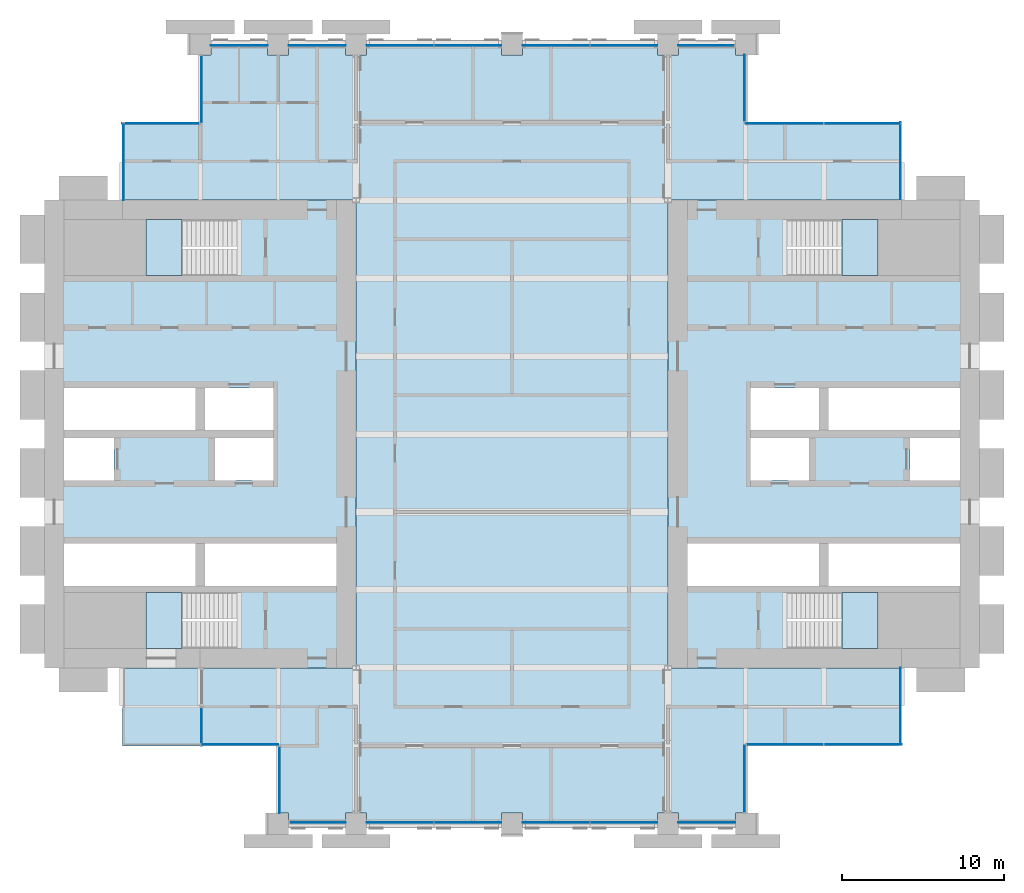
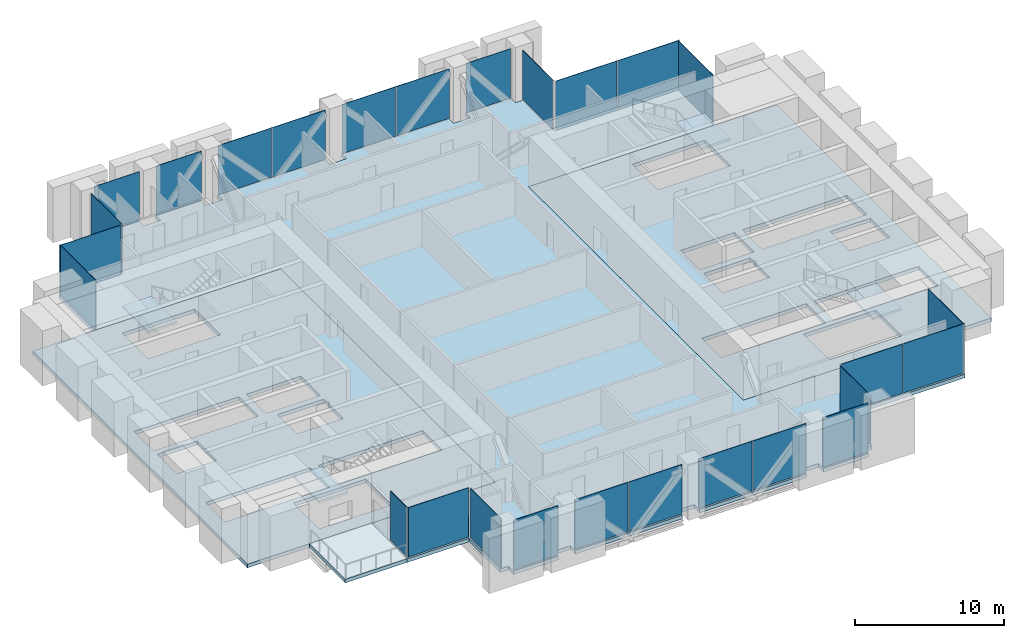
# One storey, part 9 of 15: 27 plates, 8 slabs, 18 elements without a shape of their own.
"""IFC4 building model written with IfcOpenShell, lengths in metres."""

from ifc_helpers import new_model, si_unit, direction, frame, origin, origin_2d, place, context, subcontext, project, spatial, polyline, rectangle, outline, extrude, material, layer, layer_set, type_object, element, aggregate, save


model = new_model("IFC4")

# Units and contexts
model_context = context("Model", 3, precision=1e-05, world=origin(), true_north=direction((0.0, 1.0)))
body_context = subcontext(model_context, "Body", "Model", "MODEL_VIEW")
ifc_project = project(units=[si_unit("LENGTHUNIT", "METRE"), si_unit("AREAUNIT", "SQUARE_METRE"), si_unit("VOLUMEUNIT", "CUBIC_METRE"), si_unit("PLANEANGLEUNIT", "RADIAN"), si_unit("MASSUNIT", "GRAM", prefix="KILO")], contexts=[model_context])

# Site, building, storey
site_placement = place(None, origin())
site = spatial("IfcSite", under=ifc_project, at=site_placement, CompositionType="ELEMENT")
building_placement = place(site_placement, origin())
building = spatial("IfcBuilding", under=site, at=building_placement, Name="Baori Bourse Tower", CompositionType="ELEMENT")
storey_placement = place(building_placement, frame((0.0, 0.0, 87.0)))
storey = spatial("IfcBuildingStorey", under=building, at=storey_placement, Name="L19", CompositionType="ELEMENT", Elevation=87.0)

# Curtain wall, plate
ifc_material_1 = material(Name="Pale anodised aluminium", Category="aluminium")
curtain_wall_type = type_object("IfcCurtainWallType", Name="CW3 Curtain wall", PredefinedType="NOTDEFINED", material=ifc_material_1)
curtain_wall_1_placement = place(storey_placement, origin())
curtain_wall_1 = element("IfcCurtainWall", 1, at=curtain_wall_1_placement, inside=storey, type_object=curtain_wall_type, Name="Curtain wall CW3 L19 1", PredefinedType="NOTDEFINED")
ifc_material_2 = material(Name="Pale anodised aluminium", Category="aluminium")
ifc_layer_1 = layer(ifc_material_2, 0.0400390625)
ifc_layer_set_1 = layer_set([ifc_layer_1], Name="CW3 Curtain wall panel")
plate_type = type_object("IfcPlateType", Name="CW3 Curtain wall panel", PredefinedType="CURTAIN_PANEL", material=ifc_layer_set_1)
plate_1_placement = place(storey_placement, frame((52.719970703125, 40.824951171875, 0.06005859375), z_axis=(0.0, 0.0, 1.0), x_axis=(0.0, 1.0, 0.0)))
plate_1 = element("IfcPlate", 2, at=plate_1_placement, type_object=plate_type, Name="Curtain wall CW3 louvre panel", PredefinedType="CURTAIN_PANEL", context=body_context, shape_type="SweptSolid", body=[
    extrude(rectangle(XDim=4.75, YDim=0.0400390625, at=origin_2d()), origin(), (0.0, 0.0, 1.0), 4.0400390625),
])
aggregate(curtain_wall_1, [plate_1])

# Curtain wall, plates
curtain_wall_2_placement = place(storey_placement, origin())
curtain_wall_2 = element("IfcCurtainWall", 3, at=curtain_wall_2_placement, inside=storey, type_object=curtain_wall_type, Name="Curtain wall CW3 L19 2", PredefinedType="NOTDEFINED")
plate_2_placement = place(storey_placement, frame((50.387451171875, 43.1201171875, 0.06005859375), z_axis=(0.0, 0.0, 1.0), x_axis=(-1.0, 0.0, 0.0)))
plate_2 = element("IfcPlate", 4, at=plate_2_placement, type_object=plate_type, Name="Curtain wall CW3 louvre panel", PredefinedType="CURTAIN_PANEL", context=body_context, shape_type="SweptSolid", body=[
    extrude(rectangle(XDim=4.72509765625, YDim=0.0400390625, at=origin_2d()), origin(), (0.0, 0.0, 1.0), 4.0400390625),
])
plate_3_placement = place(storey_placement, frame((45.58740234375, 43.1201171875, 0.06005859375), z_axis=(0.0, 0.0, 1.0), x_axis=(-1.0, 0.0, 0.0)))
plate_3 = element("IfcPlate", 5, at=plate_3_placement, type_object=plate_type, Name="Curtain wall CW3 louvre panel", PredefinedType="CURTAIN_PANEL", context=body_context, shape_type="SweptSolid", body=[
    extrude(rectangle(XDim=4.77490234375, YDim=0.0400390625, at=origin_2d()), origin(), (0.0, 0.0, 1.0), 4.0400390625),
])
aggregate(curtain_wall_2, [plate_2, plate_3])

# Curtain wall, plate
curtain_wall_3_placement = place(storey_placement, origin())
curtain_wall_3 = element("IfcCurtainWall", 6, at=curtain_wall_3_placement, inside=storey, type_object=curtain_wall_type, Name="Curtain wall CW3 L19 3", PredefinedType="NOTDEFINED")
plate_4_placement = place(storey_placement, frame((43.1201171875, 45.300048828125, 0.06005859375), z_axis=(0.0, 0.0, 1.0), x_axis=(0.0, 1.0, 0.0)))
plate_4 = element("IfcPlate", 7, at=plate_4_placement, type_object=plate_type, Name="Curtain wall CW3 louvre panel", PredefinedType="CURTAIN_PANEL", context=body_context, shape_type="SweptSolid", body=[
    extrude(rectangle(XDim=4.10009765625, YDim=0.0400390625, at=origin_2d()), origin(), (0.0, 0.0, 1.0), 4.0400390625),
])
aggregate(curtain_wall_3, [plate_4])

# Curtain wall, plates
curtain_wall_4_placement = place(storey_placement, origin())
curtain_wall_4 = element("IfcCurtainWall", 8, at=curtain_wall_4_placement, inside=storey, type_object=curtain_wall_type, Name="Curtain wall CW3 L19 4", PredefinedType="NOTDEFINED")
plate_5_placement = place(storey_placement, frame((40.77490234375, 47.919921875, 0.06005859375), z_axis=(0.0, 0.0, 1.0), x_axis=(-1.0, 0.0, 0.0)))
plate_5 = element("IfcPlate", 9, at=plate_5_placement, type_object=plate_type, Name="Curtain wall CW3 louvre panel", PredefinedType="CURTAIN_PANEL", context=body_context, shape_type="SweptSolid", body=[
    extrude(rectangle(XDim=3.449951171875, YDim=0.0400390625, at=origin_2d()), origin(), (0.0, 0.0, 1.0), 4.0400390625),
])
plate_6_placement = place(storey_placement, frame((35.6875, 47.919921875, 0.06005859375), z_axis=(0.0, 0.0, 1.0), x_axis=(-1.0, 0.0, 0.0)))
plate_6 = element("IfcPlate", 10, at=plate_6_placement, type_object=plate_type, Name="Curtain wall CW3 louvre panel", PredefinedType="CURTAIN_PANEL", context=body_context, shape_type="SweptSolid", body=[
    extrude(rectangle(XDim=4.125, YDim=0.0400390625, at=origin_2d()), origin(), (0.0, 0.0, 1.0), 4.0400390625),
])
plate_7_placement = place(storey_placement, frame((31.512451171875, 47.919921875, 0.06005859375), z_axis=(0.0, 0.0, 1.0), x_axis=(-1.0, 0.0, 0.0)))
plate_7 = element("IfcPlate", 11, at=plate_7_placement, type_object=plate_type, Name="Curtain wall CW3 louvre panel", PredefinedType="CURTAIN_PANEL", context=body_context, shape_type="SweptSolid", body=[
    extrude(rectangle(XDim=4.125, YDim=0.0400390625, at=origin_2d()), origin(), (0.0, 0.0, 1.0), 4.0400390625),
])
plate_8_placement = place(storey_placement, frame((26.08740234375, 47.919921875, 0.06005859375), z_axis=(0.0, 0.0, 1.0), x_axis=(-1.0, 0.0, 0.0)))
plate_8 = element("IfcPlate", 12, at=plate_8_placement, type_object=plate_type, Name="Curtain wall CW3 louvre panel", PredefinedType="CURTAIN_PANEL", context=body_context, shape_type="SweptSolid", body=[
    extrude(rectangle(XDim=4.125, YDim=0.0400390625, at=origin_2d()), origin(), (0.0, 0.0, 1.0), 4.0400390625),
])
plate_9_placement = place(storey_placement, frame((21.91259765625, 47.919921875, 0.06005859375), z_axis=(0.0, 0.0, 1.0), x_axis=(-1.0, 0.0, 0.0)))
plate_9 = element("IfcPlate", 13, at=plate_9_placement, type_object=plate_type, Name="Curtain wall CW3 louvre panel", PredefinedType="CURTAIN_PANEL", context=body_context, shape_type="SweptSolid", body=[
    extrude(rectangle(XDim=4.125, YDim=0.0400390625, at=origin_2d()), origin(), (0.0, 0.0, 1.0), 4.0400390625),
])
plate_10_placement = place(storey_placement, frame((16.800048828125, 47.919921875, 0.06005859375), z_axis=(0.0, 0.0, 1.0), x_axis=(-1.0, 0.0, 0.0)))
plate_10 = element("IfcPlate", 14, at=plate_10_placement, type_object=plate_type, Name="Curtain wall CW3 louvre panel", PredefinedType="CURTAIN_PANEL", context=body_context, shape_type="SweptSolid", body=[
    extrude(rectangle(XDim=3.5, YDim=0.0400390625, at=origin_2d()), origin(), (0.0, 0.0, 1.0), 4.0400390625),
])
plate_11_placement = place(storey_placement, frame((12.0, 47.919921875, 0.06005859375), z_axis=(0.0, 0.0, 1.0), x_axis=(-1.0, 0.0, 0.0)))
plate_11 = element("IfcPlate", 15, at=plate_11_placement, type_object=plate_type, Name="Curtain wall CW3 louvre panel", PredefinedType="CURTAIN_PANEL", context=body_context, shape_type="SweptSolid", body=[
    extrude(rectangle(XDim=3.5, YDim=0.0400390625, at=origin_2d()), origin(), (0.0, 0.0, 1.0), 4.0400390625),
])
aggregate(curtain_wall_4, [plate_5, plate_6, plate_7, plate_8, plate_9, plate_10, plate_11])

# Curtain wall, plate
curtain_wall_5_placement = place(storey_placement, origin())
curtain_wall_5 = element("IfcCurtainWall", 16, at=curtain_wall_5_placement, inside=storey, type_object=curtain_wall_type, Name="Curtain wall CW3 L19 5", PredefinedType="NOTDEFINED")
plate_12_placement = place(storey_placement, frame((9.679931640625, 45.25, 0.06005859375), z_axis=(0.0, 0.0, 1.0), x_axis=(0.0, -1.0, 0.0)))
plate_12 = element("IfcPlate", 17, at=plate_12_placement, type_object=plate_type, Name="Curtain wall CW3 louvre panel", PredefinedType="CURTAIN_PANEL", context=body_context, shape_type="SweptSolid", body=[
    extrude(rectangle(XDim=4.10009765625, YDim=0.0400390625, at=origin_2d()), origin(), (0.0, 0.0, 1.0), 4.0400390625),
])
aggregate(curtain_wall_5, [plate_12])

curtain_wall_6_placement = place(storey_placement, origin())
curtain_wall_6 = element("IfcCurtainWall", 18, at=curtain_wall_6_placement, inside=storey, type_object=curtain_wall_type, Name="Curtain wall CW3 L19 6", PredefinedType="NOTDEFINED")
plate_13_placement = place(storey_placement, frame((7.175048828125, 43.1201171875, 0.06005859375), z_axis=(0.0, 0.0, 1.0), x_axis=(-1.0, 0.0, 0.0)))
plate_13 = element("IfcPlate", 19, at=plate_13_placement, type_object=plate_type, Name="Curtain wall CW3 louvre panel", PredefinedType="CURTAIN_PANEL", context=body_context, shape_type="SweptSolid", body=[
    extrude(rectangle(XDim=4.75, YDim=0.0400390625, at=origin_2d()), origin(), (0.0, 0.0, 1.0), 4.0400390625),
])
aggregate(curtain_wall_6, [plate_13])

curtain_wall_7_placement = place(storey_placement, origin())
curtain_wall_7 = element("IfcCurtainWall", 20, at=curtain_wall_7_placement, inside=storey, type_object=curtain_wall_type, Name="Curtain wall CW3 L19 7", PredefinedType="NOTDEFINED")
plate_14_placement = place(storey_placement, frame((4.8798828125, 40.77490234375, 0.06005859375), z_axis=(0.0, 0.0, 1.0), x_axis=(0.0, -1.0, 0.0)))
plate_14 = element("IfcPlate", 21, at=plate_14_placement, type_object=plate_type, Name="Curtain wall CW3 louvre panel", PredefinedType="CURTAIN_PANEL", context=body_context, shape_type="SweptSolid", body=[
    extrude(rectangle(XDim=4.75, YDim=0.0400390625, at=origin_2d()), origin(), (0.0, 0.0, 1.0), 4.0400390625),
])
aggregate(curtain_wall_7, [plate_14])

curtain_wall_8_placement = place(storey_placement, origin())
curtain_wall_8 = element("IfcCurtainWall", 22, at=curtain_wall_8_placement, inside=storey, type_object=curtain_wall_type, Name="Curtain wall CW3 L19 8", PredefinedType="NOTDEFINED")
plate_15_placement = place(storey_placement, frame((9.679931640625, 5.97509765625, 0.06005859375), z_axis=(0.0, 0.0, 1.0), x_axis=(0.0, -1.0, 0.0)))
plate_15 = element("IfcPlate", 23, at=plate_15_placement, type_object=plate_type, Name="Curtain wall CW3 louvre panel", PredefinedType="CURTAIN_PANEL", context=body_context, shape_type="SweptSolid", body=[
    extrude(rectangle(XDim=2.35009765625, YDim=0.0400390625, at=origin_2d()), origin(), (0.0, 0.0, 1.0), 4.0400390625),
])
aggregate(curtain_wall_8, [plate_15])

curtain_wall_9_placement = place(storey_placement, origin())
curtain_wall_9 = element("IfcCurtainWall", 24, at=curtain_wall_9_placement, inside=storey, type_object=curtain_wall_type, Name="Curtain wall CW3 L19 9", PredefinedType="NOTDEFINED")
plate_16_placement = place(storey_placement, frame((12.02490234375, 4.8798828125, 0.06005859375), z_axis=(0.0, 0.0, 1.0), x_axis=(1.0, 0.0, 0.0)))
plate_16 = element("IfcPlate", 25, at=plate_16_placement, type_object=plate_type, Name="Curtain wall CW3 louvre panel", PredefinedType="CURTAIN_PANEL", context=body_context, shape_type="SweptSolid", body=[
    extrude(rectangle(XDim=4.75, YDim=0.0400390625, at=origin_2d()), origin(), (0.0, 0.0, 1.0), 4.0400390625),
])
aggregate(curtain_wall_9, [plate_16])

curtain_wall_10_placement = place(storey_placement, origin())
curtain_wall_10 = element("IfcCurtainWall", 26, at=curtain_wall_10_placement, inside=storey, type_object=curtain_wall_type, Name="Curtain wall CW3 L19 10", PredefinedType="NOTDEFINED")
plate_17_placement = place(storey_placement, frame((14.47998046875, 2.699951171875, 0.06005859375), z_axis=(0.0, 0.0, 1.0), x_axis=(0.0, -1.0, 0.0)))
plate_17 = element("IfcPlate", 27, at=plate_17_placement, type_object=plate_type, Name="Curtain wall CW3 louvre panel", PredefinedType="CURTAIN_PANEL", context=body_context, shape_type="SweptSolid", body=[
    extrude(rectangle(XDim=4.10009765625, YDim=0.0400390625, at=origin_2d()), origin(), (0.0, 0.0, 1.0), 4.0400390625),
])
aggregate(curtain_wall_10, [plate_17])

# Curtain wall, plates
curtain_wall_11_placement = place(storey_placement, origin())
curtain_wall_11 = element("IfcCurtainWall", 28, at=curtain_wall_11_placement, inside=storey, type_object=curtain_wall_type, Name="Curtain wall CW3 L19 11", PredefinedType="NOTDEFINED")
plate_18_placement = place(storey_placement, frame((16.824951171875, 0.080078125, 0.06005859375), z_axis=(0.0, 0.0, 1.0), x_axis=(1.0, 0.0, 0.0)))
plate_18 = element("IfcPlate", 29, at=plate_18_placement, type_object=plate_type, Name="Curtain wall CW3 louvre panel", PredefinedType="CURTAIN_PANEL", context=body_context, shape_type="SweptSolid", body=[
    extrude(rectangle(XDim=3.449951171875, YDim=0.0400390625, at=origin_2d()), origin(), (0.0, 0.0, 1.0), 4.0400390625),
])
plate_19_placement = place(storey_placement, frame((21.91259765625, 0.080078125, 0.06005859375), z_axis=(0.0, 0.0, 1.0), x_axis=(1.0, 0.0, 0.0)))
plate_19 = element("IfcPlate", 30, at=plate_19_placement, type_object=plate_type, Name="Curtain wall CW3 louvre panel", PredefinedType="CURTAIN_PANEL", context=body_context, shape_type="SweptSolid", body=[
    extrude(rectangle(XDim=4.125, YDim=0.0400390625, at=origin_2d()), origin(), (0.0, 0.0, 1.0), 4.0400390625),
])
plate_20_placement = place(storey_placement, frame((26.08740234375, 0.080078125, 0.06005859375), z_axis=(0.0, 0.0, 1.0), x_axis=(1.0, 0.0, 0.0)))
plate_20 = element("IfcPlate", 31, at=plate_20_placement, type_object=plate_type, Name="Curtain wall CW3 louvre panel", PredefinedType="CURTAIN_PANEL", context=body_context, shape_type="SweptSolid", body=[
    extrude(rectangle(XDim=4.125, YDim=0.0400390625, at=origin_2d()), origin(), (0.0, 0.0, 1.0), 4.0400390625),
])
plate_21_placement = place(storey_placement, frame((31.512451171875, 0.080078125, 0.06005859375), z_axis=(0.0, 0.0, 1.0), x_axis=(1.0, 0.0, 0.0)))
plate_21 = element("IfcPlate", 32, at=plate_21_placement, type_object=plate_type, Name="Curtain wall CW3 louvre panel", PredefinedType="CURTAIN_PANEL", context=body_context, shape_type="SweptSolid", body=[
    extrude(rectangle(XDim=4.125, YDim=0.0400390625, at=origin_2d()), origin(), (0.0, 0.0, 1.0), 4.0400390625),
])
plate_22_placement = place(storey_placement, frame((35.6875, 0.080078125, 0.06005859375), z_axis=(0.0, 0.0, 1.0), x_axis=(1.0, 0.0, 0.0)))
plate_22 = element("IfcPlate", 33, at=plate_22_placement, type_object=plate_type, Name="Curtain wall CW3 louvre panel", PredefinedType="CURTAIN_PANEL", context=body_context, shape_type="SweptSolid", body=[
    extrude(rectangle(XDim=4.125, YDim=0.0400390625, at=origin_2d()), origin(), (0.0, 0.0, 1.0), 4.0400390625),
])
plate_23_placement = place(storey_placement, frame((40.800048828125, 0.080078125, 0.06005859375), z_axis=(0.0, 0.0, 1.0), x_axis=(1.0, 0.0, 0.0)))
plate_23 = element("IfcPlate", 34, at=plate_23_placement, type_object=plate_type, Name="Curtain wall CW3 louvre panel", PredefinedType="CURTAIN_PANEL", context=body_context, shape_type="SweptSolid", body=[
    extrude(rectangle(XDim=3.5, YDim=0.0400390625, at=origin_2d()), origin(), (0.0, 0.0, 1.0), 4.0400390625),
])
aggregate(curtain_wall_11, [plate_18, plate_19, plate_20, plate_21, plate_22, plate_23])

# Curtain wall, plate
curtain_wall_12_placement = place(storey_placement, origin())
curtain_wall_12 = element("IfcCurtainWall", 35, at=curtain_wall_12_placement, inside=storey, type_object=curtain_wall_type, Name="Curtain wall CW3 L19 12", PredefinedType="NOTDEFINED")
plate_24_placement = place(storey_placement, frame((43.1201171875, 2.75, 0.06005859375), z_axis=(0.0, 0.0, 1.0), x_axis=(0.0, 1.0, 0.0)))
plate_24 = element("IfcPlate", 36, at=plate_24_placement, type_object=plate_type, Name="Curtain wall CW3 louvre panel", PredefinedType="CURTAIN_PANEL", context=body_context, shape_type="SweptSolid", body=[
    extrude(rectangle(XDim=4.10009765625, YDim=0.0400390625, at=origin_2d()), origin(), (0.0, 0.0, 1.0), 4.0400390625),
])
aggregate(curtain_wall_12, [plate_24])

# Curtain wall, plates
curtain_wall_13_placement = place(storey_placement, origin())
curtain_wall_13 = element("IfcCurtainWall", 37, at=curtain_wall_13_placement, inside=storey, type_object=curtain_wall_type, Name="Curtain wall CW3 L19 13", PredefinedType="NOTDEFINED")
plate_25_placement = place(storey_placement, frame((45.612548828125, 4.8798828125, 0.06005859375), z_axis=(0.0, 0.0, 1.0), x_axis=(1.0, 0.0, 0.0)))
plate_25 = element("IfcPlate", 38, at=plate_25_placement, type_object=plate_type, Name="Curtain wall CW3 louvre panel", PredefinedType="CURTAIN_PANEL", context=body_context, shape_type="SweptSolid", body=[
    extrude(rectangle(XDim=4.72509765625, YDim=0.0400390625, at=origin_2d()), origin(), (0.0, 0.0, 1.0), 4.0400390625),
])
plate_26_placement = place(storey_placement, frame((50.41259765625, 4.8798828125, 0.06005859375), z_axis=(0.0, 0.0, 1.0), x_axis=(1.0, 0.0, 0.0)))
plate_26 = element("IfcPlate", 39, at=plate_26_placement, type_object=plate_type, Name="Curtain wall CW3 louvre panel", PredefinedType="CURTAIN_PANEL", context=body_context, shape_type="SweptSolid", body=[
    extrude(rectangle(XDim=4.77490234375, YDim=0.0400390625, at=origin_2d()), origin(), (0.0, 0.0, 1.0), 4.0400390625),
])
aggregate(curtain_wall_13, [plate_25, plate_26])

# Curtain wall, plate
curtain_wall_14_placement = place(storey_placement, origin())
curtain_wall_14 = element("IfcCurtainWall", 40, at=curtain_wall_14_placement, inside=storey, type_object=curtain_wall_type, Name="Curtain wall CW3 L19 14", PredefinedType="NOTDEFINED")
plate_27_placement = place(storey_placement, frame((52.719970703125, 7.22509765625, 0.06005859375), z_axis=(0.0, 0.0, 1.0), x_axis=(0.0, 1.0, 0.0)))
plate_27 = element("IfcPlate", 41, at=plate_27_placement, type_object=plate_type, Name="Curtain wall CW3 louvre panel", PredefinedType="CURTAIN_PANEL", context=body_context, shape_type="SweptSolid", body=[
    extrude(rectangle(XDim=4.75, YDim=0.0400390625, at=origin_2d()), origin(), (0.0, 0.0, 1.0), 4.0400390625),
])
aggregate(curtain_wall_14, [plate_27])

# Slabs
ifc_material_3 = material(Name="Concrete f'c 50 MPa", Category="concrete")
ifc_layer_2 = layer(ifc_material_3, 0.300048828125)
ifc_layer_set_2 = layer_set([ifc_layer_2], Name="Core slab 300")
slab_type_1 = type_object("IfcSlabType", Name="Core slab 300", PredefinedType="FLOOR", material=ifc_layer_set_2)
slab_1_placement = place(storey_placement, frame((0.0, 0.0, -0.300048828125)))
element("IfcSlab", 42, at=slab_1_placement, inside=storey, type_object=slab_type_1, Name="Core floor slab W01", PredefinedType="FLOOR", context=body_context, shape_type="SweptSolid", body=[
    extrude(outline(polyline([(19.199951171875, 9.60009765625), (19.199951171875, 38.39990234375), (0.0, 38.39990234375), (0.0, 9.60009765625), (19.199951171875, 9.60009765625)]), holes=[polyline([(9.89990234375, 14.64990234375), (9.89990234375, 17.25), (18.0, 17.25), (18.0, 14.64990234375), (9.89990234375, 14.64990234375)]), polyline([(10.5, 21.14990234375), (10.5, 23.75), (14.10009765625, 23.75), (14.10009765625, 21.14990234375), (10.5, 21.14990234375)]), polyline([(14.10009765625, 24.25), (9.89990234375, 24.25), (9.89990234375, 26.85009765625), (14.10009765625, 26.85009765625), (14.10009765625, 24.25)]), polyline([(6.25, 14.25), (11.84912109375, 14.25), (11.84912109375, 10.800048828125), (6.25, 10.800048828125), (6.25, 14.25)]), polyline([(11.84912109375, 37.199951171875), (11.84912109375, 33.75), (6.25, 33.75), (6.25, 37.199951171875), (11.84912109375, 37.199951171875)]), polyline([(1.199951171875, 26.85009765625), (9.300048828125, 26.85009765625), (9.300048828125, 24.25), (1.199951171875, 24.25), (1.199951171875, 26.85009765625)]), polyline([(9.300048828125, 14.64990234375), (1.199951171875, 14.64990234375), (1.199951171875, 17.25), (9.300048828125, 17.25), (9.300048828125, 14.64990234375)]), polyline([(4.300048828125, 23.75), (4.300048828125, 21.14990234375), (1.199951171875, 21.14990234375), (1.199951171875, 23.75), (4.300048828125, 23.75)])]), origin(), (0.0, 0.0, 1.0), 0.300048828125),
])
slab_2_placement = place(storey_placement, frame((0.0, 0.0, -0.300048828125)))
element("IfcSlab", 43, at=slab_2_placement, inside=storey, type_object=slab_type_1, Name="Core floor slab E01", PredefinedType="FLOOR", context=body_context, shape_type="SweptSolid", body=[
    extrude(outline(polyline([(38.39990234375, 9.60009765625), (57.60009765625, 9.60009765625), (57.60009765625, 38.39990234375), (38.39990234375, 38.39990234375), (38.39990234375, 9.60009765625)]), holes=[polyline([(48.300048828125, 14.64990234375), (48.300048828125, 17.25), (56.39990234375, 17.25), (56.39990234375, 14.64990234375), (48.300048828125, 14.64990234375)]), polyline([(56.39990234375, 21.14990234375), (53.300048828125, 21.14990234375), (53.300048828125, 23.75), (56.39990234375, 23.75), (56.39990234375, 21.14990234375)]), polyline([(56.39990234375, 26.85009765625), (56.39990234375, 24.25), (48.300048828125, 24.25), (48.300048828125, 26.85009765625), (56.39990234375, 26.85009765625)]), polyline([(45.750732421875, 14.25), (51.35009765625, 14.25), (51.35009765625, 10.800048828125), (45.750732421875, 10.800048828125), (45.750732421875, 14.25)]), polyline([(51.35009765625, 37.199951171875), (51.35009765625, 33.75), (45.750732421875, 33.75), (45.750732421875, 37.199951171875), (51.35009765625, 37.199951171875)]), polyline([(39.60009765625, 17.25), (47.699951171875, 17.25), (47.699951171875, 14.64990234375), (39.60009765625, 14.64990234375), (39.60009765625, 17.25)]), polyline([(43.5, 24.25), (43.5, 26.85009765625), (47.699951171875, 26.85009765625), (47.699951171875, 24.25), (43.5, 24.25)]), polyline([(43.5, 23.75), (47.10009765625, 23.75), (47.10009765625, 21.14990234375), (43.5, 21.14990234375), (43.5, 23.75)])]), origin(), (0.0, 0.0, 1.0), 0.300048828125),
])

# Stair, slab
ifc_material_4 = material(Name="Concrete f'c 50 MPa", Category="concrete")
stair_type = type_object("IfcStairType", Name="Core stair", PredefinedType="HALF_TURN_STAIR", material=ifc_material_4)
stair_1_placement = place(storey_placement, origin())
stair_1 = element("IfcStair", 44, at=stair_1_placement, inside=storey, type_object=stair_type, Name="L19 Stair WA", PredefinedType="HALF_TURN_STAIR")
ifc_material_5 = material(Name="Concrete f'c 50 MPa", Category="concrete")
slab_type_2 = type_object("IfcSlabType", Name="Core stair landing", PredefinedType="LANDING", material=ifc_material_5)
slab_3_placement = place(storey_placement, frame((0.0, 0.0, 2.050048828125)))
slab_3 = element("IfcSlab", 45, at=slab_3_placement, type_object=slab_type_2, Name="ST1 landing 1", PredefinedType="LANDING", context=body_context, shape_type="SweptSolid", body=[
    extrude(outline(polyline([(8.489990234375, 14.25), (6.25, 14.25), (6.25, 10.800048828125), (8.489990234375, 10.800048828125), (8.489990234375, 14.25)])), origin(), (0.0, 0.0, 1.0), 0.199951171875),
])
aggregate(stair_1, [slab_3])

stair_2_placement = place(storey_placement, origin())
stair_2 = element("IfcStair", 46, at=stair_2_placement, inside=storey, type_object=stair_type, Name="L19 Stair WB", PredefinedType="HALF_TURN_STAIR")
slab_4_placement = place(storey_placement, frame((0.0, 0.0, 2.050048828125)))
slab_4 = element("IfcSlab", 47, at=slab_4_placement, type_object=slab_type_2, Name="ST2 landing 1", PredefinedType="LANDING", context=body_context, shape_type="SweptSolid", body=[
    extrude(outline(polyline([(8.489990234375, 37.199951171875), (6.25, 37.199951171875), (6.25, 33.75), (8.489990234375, 33.75), (8.489990234375, 37.199951171875)])), origin(), (0.0, 0.0, 1.0), 0.199951171875),
])
aggregate(stair_2, [slab_4])

stair_3_placement = place(storey_placement, origin())
stair_3 = element("IfcStair", 48, at=stair_3_placement, inside=storey, type_object=stair_type, Name="L19 Stair EA", PredefinedType="HALF_TURN_STAIR")
slab_5_placement = place(storey_placement, frame((0.0, 0.0, 2.050048828125)))
slab_5 = element("IfcSlab", 49, at=slab_5_placement, type_object=slab_type_2, Name="ST3 landing 1", PredefinedType="LANDING", context=body_context, shape_type="SweptSolid", body=[
    extrude(outline(polyline([(49.110107421875, 10.800048828125), (51.35009765625, 10.800048828125), (51.35009765625, 14.25), (49.110107421875, 14.25), (49.110107421875, 10.800048828125)])), origin(), (0.0, 0.0, 1.0), 0.199951171875),
])
aggregate(stair_3, [slab_5])

stair_4_placement = place(storey_placement, origin())
stair_4 = element("IfcStair", 50, at=stair_4_placement, inside=storey, type_object=stair_type, Name="L19 Stair EB", PredefinedType="HALF_TURN_STAIR")
slab_6_placement = place(storey_placement, frame((0.0, 0.0, 2.050048828125)))
slab_6 = element("IfcSlab", 51, at=slab_6_placement, type_object=slab_type_2, Name="ST4 landing 1", PredefinedType="LANDING", context=body_context, shape_type="SweptSolid", body=[
    extrude(outline(polyline([(49.110107421875, 33.75), (51.35009765625, 33.75), (51.35009765625, 37.199951171875), (49.110107421875, 37.199951171875), (49.110107421875, 33.75)])), origin(), (0.0, 0.0, 1.0), 0.199951171875),
])
aggregate(stair_4, [slab_6])

# Slabs
ifc_material_6 = material(Name="Concrete f'c 40 MPa", Category="concrete")
ifc_layer_3 = layer(ifc_material_6, 0.300048828125)
ifc_layer_set_3 = layer_set([ifc_layer_3], Name="Floor slab 300")
slab_type_3 = type_object("IfcSlabType", Name="Floor slab 300", PredefinedType="FLOOR", material=ifc_layer_set_3)
slab_7_placement = place(storey_placement, frame((0.0, 0.0, -0.300048828125)))
element("IfcSlab", 52, at=slab_7_placement, inside=storey, type_object=slab_type_3, Name="Floor slab L19", PredefinedType="FLOOR", context=body_context, shape_type="SweptSolid", body=[
    extrude(outline(polyline([(14.39990234375, 4.800048828125), (9.60009765625, 4.800048828125), (9.60009765625, 9.60009765625), (19.199951171875, 9.60009765625), (19.199951171875, 38.39990234375), (4.800048828125, 38.39990234375), (4.800048828125, 43.199951171875), (9.60009765625, 43.199951171875), (9.60009765625, 47.35009765625), (10.25, 47.35009765625), (10.25, 48.0), (13.75, 48.0), (13.75, 47.35009765625), (15.050048828125, 47.35009765625), (15.050048828125, 48.0), (18.550048828125, 48.0), (18.550048828125, 47.35009765625), (19.85009765625, 47.35009765625), (19.85009765625, 48.0), (28.14990234375, 48.0), (28.14990234375, 47.35009765625), (29.449951171875, 47.35009765625), (29.449951171875, 48.0), (37.75, 48.0), (37.75, 47.35009765625), (39.050048828125, 47.35009765625), (39.050048828125, 48.0), (42.550048828125, 48.0), (42.550048828125, 47.35009765625), (43.199951171875, 47.35009765625), (43.199951171875, 43.199951171875), (52.800048828125, 43.199951171875), (52.800048828125, 38.39990234375), (38.39990234375, 38.39990234375), (38.39990234375, 9.60009765625), (52.800048828125, 9.60009765625), (52.800048828125, 4.800048828125), (43.199951171875, 4.800048828125), (43.199951171875, 0.64990234375), (42.550048828125, 0.64990234375), (42.550048828125, 0.0), (39.050048828125, 0.0), (39.050048828125, 0.64990234375), (37.75, 0.64990234375), (37.75, 0.0), (29.449951171875, 0.0), (29.449951171875, 0.64990234375), (28.14990234375, 0.64990234375), (28.14990234375, 0.0), (19.85009765625, 0.0), (19.85009765625, 0.64990234375), (18.550048828125, 0.64990234375), (18.550048828125, 0.0), (15.050048828125, 0.0), (15.050048828125, 0.64990234375), (14.39990234375, 0.64990234375), (14.39990234375, 4.800048828125)])), origin(), (0.0, 0.0, 1.0), 0.300048828125),
])
ifc_material_7 = material(Name="Concrete f'c 40 MPa", Category="concrete")
ifc_layer_4 = layer(ifc_material_7, 0.300048828125)
ifc_layer_set_4 = layer_set([ifc_layer_4], Name="Terrace slab 300")
slab_type_4 = type_object("IfcSlabType", Name="Terrace slab 300", PredefinedType="ROOF", material=ifc_layer_set_4)
slab_8_placement = place(storey_placement, frame((0.0, 0.0, -0.300048828125)))
element("IfcSlab", 53, at=slab_8_placement, inside=storey, type_object=slab_type_4, Name="Terrace slab SW L19", PredefinedType="ROOF", context=body_context, shape_type="SweptSolid", body=[
    extrude(outline(polyline([(9.596923828125, 4.802978515625), (4.802978515625, 4.802978515625), (4.802978515625, 9.596923828125), (9.596923828125, 9.596923828125), (9.596923828125, 4.802978515625)])), origin(), (0.0, 0.0, 1.0), 0.300048828125),
])

save(model, "model.ifc")
